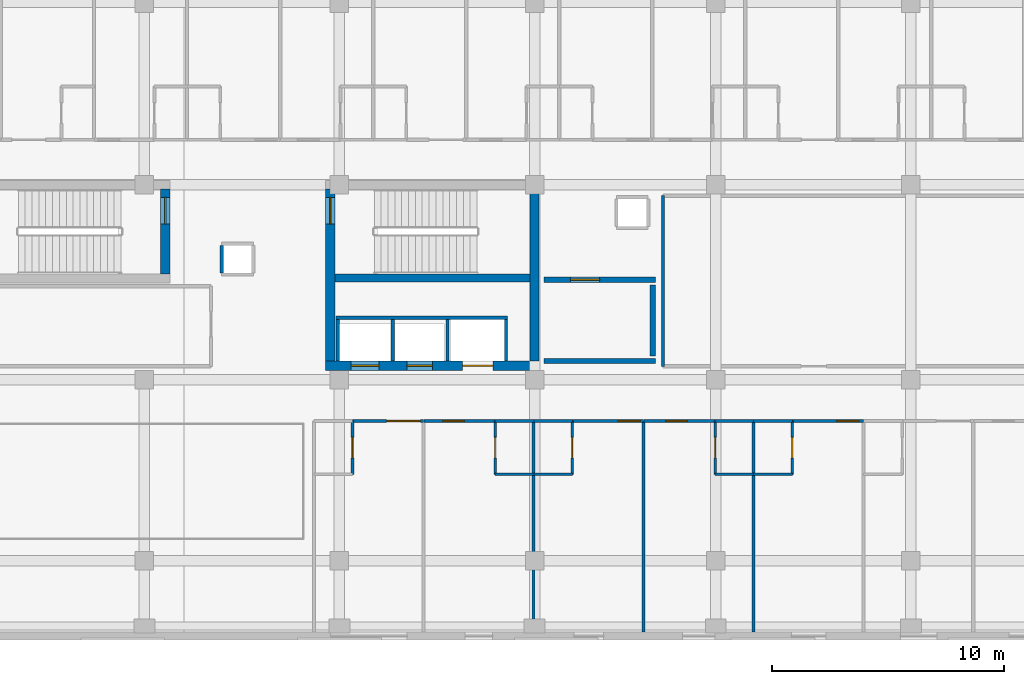
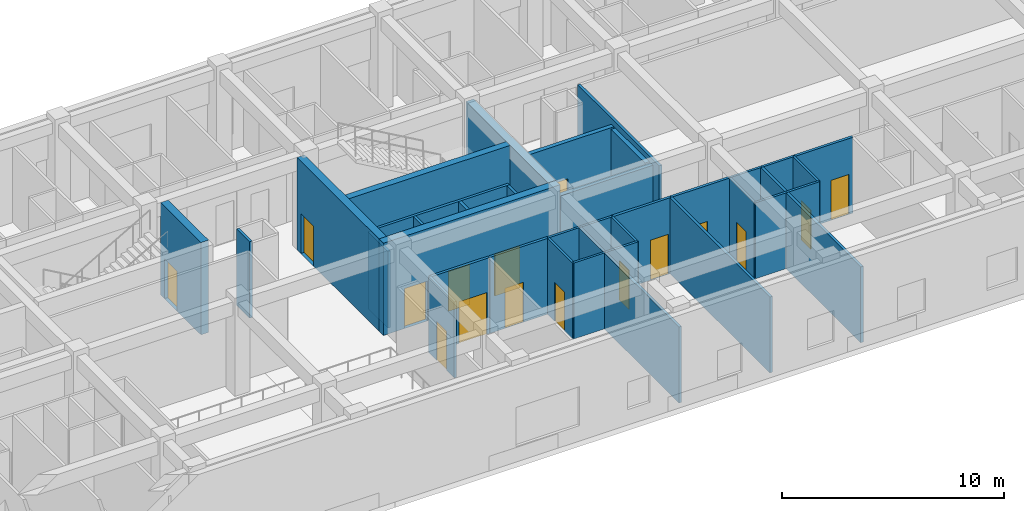
# One storey, part 105 of 139: 36 walls, 16 doors, 16 openings.
"""IFC4 building model written with IfcOpenShell, lengths in metres."""

from ifc_helpers import new_model, si_unit, direction, frame, frame_2d, origin, place, context, subcontext, project, spatial, rectangle, extrude, material, layer, layer_set, type_object, element, fill, save


model = new_model("IFC4")

# Units and contexts
model_context = context("Model", 3, precision=1e-05, world=origin(), true_north=direction((0.0, 1.0)))
body_context = subcontext(model_context, "Body", "Model", "MODEL_VIEW")
ifc_project = project(units=[si_unit("LENGTHUNIT", "METRE"), si_unit("AREAUNIT", "SQUARE_METRE"), si_unit("VOLUMEUNIT", "CUBIC_METRE"), si_unit("PLANEANGLEUNIT", "RADIAN"), si_unit("MASSUNIT", "GRAM", prefix="KILO")], contexts=[model_context])

# Site, building, storey
site_placement = place(None, origin())
site = spatial("IfcSite", under=ifc_project, at=site_placement, CompositionType="ELEMENT")
building_placement = place(site_placement, origin())
building = spatial("IfcBuilding", under=site, at=building_placement, Name="Zayran Congress Hotel", CompositionType="ELEMENT")
storey_placement = place(building_placement, frame((0.0, 0.0, 5.39990234375)))
storey = spatial("IfcBuildingStorey", under=building, at=storey_placement, Name="L01", CompositionType="ELEMENT", Elevation=5.39990234375)

# Wall, openings, doors
ifc_material_1 = material(Name="Concrete C40/50", Category="concrete")
ifc_layer_1 = layer(ifc_material_1, 0.39990234375)
ifc_layer_set_1 = layer_set([ifc_layer_1], Name="Concrete C40/50")
wall_type_1 = type_object("IfcWallType", Name="WL-SH-400", PredefinedType="SHEAR", material=ifc_layer_set_1)
wall_1_placement = place(storey_placement, frame((49.800048828125, 17.800048828125, 0.0), z_axis=(0.0, 0.0, 1.0), x_axis=(1.0, 0.0, 0.0)))
wall_1 = element("IfcWall", 1, at=wall_1_placement, inside=storey, type_object=wall_type_1, Name="CWALL-C-V5E-L01-S", PredefinedType="SHEAR", context=body_context, shape_type="SweptSolid", body=[
    extrude(rectangle(XDim=9.199951171875, YDim=0.39990234375, at=frame_2d((4.60009765625, 0.0))), origin(), (0.0, 0.0, 1.0), 5.080078125),
])
opening_1_placement = place(wall_1_placement, frame((1.10009765625, 0.0, 0.0)))
opening_1 = element("IfcOpeningElement", 2, at=opening_1_placement, cuts=wall_1, Name="Opening LD-FL02", PredefinedType="OPENING", context=body_context, shape_type="SweptSolid", body=[
    extrude(rectangle(XDim=1.199951171875, YDim=2.199951171875, at=frame_2d((0.60009765625, 1.10009765625))), frame((0.0, 0.2099609375, 0.0), z_axis=(0.0, -1.0, 0.0), x_axis=(1.0, 0.0, 0.0)), (0.0, 0.0, 1.0), 0.419921875),
])
opening_2_placement = place(wall_1_placement, frame((3.5, 0.0, 0.0)))
opening_2 = element("IfcOpeningElement", 3, at=opening_2_placement, cuts=wall_1, Name="Opening LD-PL03", PredefinedType="OPENING", context=body_context, shape_type="SweptSolid", body=[
    extrude(rectangle(XDim=1.10009765625, YDim=2.199951171875, at=frame_2d((0.550048828125, 1.10009765625))), frame((0.0, 0.2099609375, 0.0), z_axis=(0.0, -1.0, 0.0), x_axis=(1.0, 0.0, 0.0)), (0.0, 0.0, 1.0), 0.419921875),
])
opening_3_placement = place(wall_1_placement, frame((5.89990234375, 0.0, 0.0)))
opening_3 = element("IfcOpeningElement", 4, at=opening_3_placement, cuts=wall_1, Name="Opening LD-SV01", PredefinedType="OPENING", context=body_context, shape_type="SweptSolid", body=[
    extrude(rectangle(XDim=1.300048828125, YDim=2.300048828125, at=frame_2d((0.64990234375, 1.14990234375))), frame((0.0, 0.2099609375, 0.0), z_axis=(0.0, -1.0, 0.0), x_axis=(1.0, 0.0, 0.0)), (0.0, 0.0, 1.0), 0.419921875),
])
ifc_material_2 = material(Name="Brushed stainless steel sliding lift landing door", Category="steel")
door_type_1 = type_object("IfcDoorType", Name="TP-DR-LD-01", OperationType="DOUBLE_DOOR_SLIDING", PredefinedType="DOOR", material=ifc_material_2)
door_1_placement = place(opening_2_placement, origin())
door_1 = element("IfcDoor", 5, at=door_1_placement, inside=storey, type_object=door_type_1, Name="Lift PL-03 Sliding Landing Door L01", OperationType="DOUBLE_DOOR_SLIDING", OverallHeight=2.199951171875, OverallWidth=1.10009765625, PredefinedType="DOOR", context=body_context, shape_type="SweptSolid", body=[
    extrude(rectangle(XDim=1.10009765625, YDim=2.199951171875, at=frame_2d((0.550048828125, 1.10009765625))), frame((0.0, 0.02490234375, 0.0), z_axis=(0.0, -1.0, 0.0), x_axis=(1.0, 0.0, 0.0)), (0.0, 0.0, 1.0), 0.050048828125),
])
fill(opening_2, door_1)
ifc_material_3 = material(Name="Brushed stainless steel firefighting lift landing door", Category="steel")
door_type_2 = type_object("IfcDoorType", Name="TP-DR-LD-02", OperationType="DOUBLE_DOOR_SLIDING", PredefinedType="DOOR", material=ifc_material_3)
door_2_placement = place(opening_1_placement, origin())
door_2 = element("IfcDoor", 6, at=door_2_placement, inside=storey, type_object=door_type_2, Name="Lift FL-02 Sliding Landing Door L01", OperationType="DOUBLE_DOOR_SLIDING", OverallHeight=2.199951171875, OverallWidth=1.199951171875, PredefinedType="DOOR", context=body_context, shape_type="SweptSolid", body=[
    extrude(rectangle(XDim=1.199951171875, YDim=2.199951171875, at=frame_2d((0.60009765625, 1.10009765625))), frame((0.0, 0.02490234375, 0.0), z_axis=(0.0, -1.0, 0.0), x_axis=(1.0, 0.0, 0.0)), (0.0, 0.0, 1.0), 0.050048828125),
])
fill(opening_1, door_2)
ifc_material_4 = material(Name="Heavy-duty stainless steel service lift landing door", Category="steel")
door_type_3 = type_object("IfcDoorType", Name="TP-DR-LD-03", OperationType="DOUBLE_DOOR_SLIDING", PredefinedType="DOOR", material=ifc_material_4)
door_3_placement = place(opening_3_placement, origin())
door_3 = element("IfcDoor", 7, at=door_3_placement, inside=storey, type_object=door_type_3, Name="Lift SV-01 Sliding Landing Door L01", OperationType="DOUBLE_DOOR_SLIDING", OverallHeight=2.300048828125, OverallWidth=1.300048828125, PredefinedType="DOOR", context=body_context, shape_type="SweptSolid", body=[
    extrude(rectangle(XDim=1.300048828125, YDim=2.300048828125, at=frame_2d((0.64990234375, 1.14990234375))), frame((0.0, 0.02490234375, 0.0), z_axis=(0.0, -1.0, 0.0), x_axis=(1.0, 0.0, 0.0)), (0.0, 0.0, 1.0), 0.050048828125),
])
fill(opening_3, door_3)

# Wall, opening, door
wall_2_placement = place(storey_placement, frame((50.0, 25.39990234375, 0.0), z_axis=(0.0, 0.0, 1.0), x_axis=(0.0, -1.0, 0.0)))
wall_2 = element("IfcWall", 8, at=wall_2_placement, inside=storey, type_object=wall_type_1, Name="CWALL-C-V5E-L01-W", PredefinedType="SHEAR", context=body_context, shape_type="SweptSolid", body=[
    extrude(rectangle(XDim=7.39990234375, YDim=0.39990234375, at=frame_2d((3.699951171875, 0.0))), origin(), (0.0, 0.0, 1.0), 5.080078125),
])
opening_4_placement = place(wall_2_placement, frame((0.35009765625, 0.0, 0.0)))
opening_4 = element("IfcOpeningElement", 9, at=opening_4_placement, cuts=wall_2, Name="Opening DR-FD-90", PredefinedType="OPENING", context=body_context, shape_type="SweptSolid", body=[
    extrude(rectangle(XDim=1.14990234375, YDim=2.199951171875, at=frame_2d((0.574951171875, 1.10009765625))), frame((0.0, 0.2099609375, 0.0), z_axis=(0.0, -1.0, 0.0), x_axis=(1.0, 0.0, 0.0)), (0.0, 0.0, 1.0), 0.419921875),
])
ifc_material_5 = material(Name="Painted steel fire door assembly", Category="steel")
door_type_4 = type_object("IfcDoorType", Name="TP-DR-FD-90", OperationType="NOTDEFINED", PredefinedType="DOOR", material=ifc_material_5)
door_4_placement = place(opening_4_placement, origin())
door_4 = element("IfcDoor", 10, at=door_4_placement, inside=storey, type_object=door_type_4, Name="ST-02 Exit Stair Door L01", OperationType="SINGLE_SWING_LEFT", OverallHeight=2.199951171875, OverallWidth=1.14990234375, PredefinedType="DOOR", context=body_context, shape_type="SweptSolid", body=[
    extrude(rectangle(XDim=1.14990234375, YDim=2.199951171875, at=frame_2d((0.574951171875, 1.10009765625))), frame((0.0, 0.02490234375, 0.0), z_axis=(0.0, -1.0, 0.0), x_axis=(1.0, 0.0, 0.0)), (0.0, 0.0, 1.0), 0.050048828125),
])
fill(opening_4, door_4)

# Wall
wall_3_placement = place(storey_placement, frame((58.800048828125, 18.0, 0.0), z_axis=(0.0, 0.0, 1.0), x_axis=(0.0, 1.0, 0.0)))
element("IfcWall", 11, at=wall_3_placement, inside=storey, type_object=wall_type_1, Name="CWALL-C-V5E-L01-E", PredefinedType="SHEAR", context=body_context, shape_type="SweptSolid", body=[
    extrude(rectangle(XDim=7.39990234375, YDim=0.39990234375, at=frame_2d((3.699951171875, 0.0))), origin(), (0.0, 0.0, 1.0), 5.080078125),
])

# Wall, opening, door
wall_4_placement = place(storey_placement, frame((42.89990234375, 21.760009765625, 0.0), z_axis=(0.0, 0.0, 1.0), x_axis=(0.0, 1.0, 0.0)))
wall_4 = element("IfcWall", 12, at=wall_4_placement, inside=storey, type_object=wall_type_1, Name="CWALL-C-V5M-L01-E", PredefinedType="SHEAR", context=body_context, shape_type="SweptSolid", body=[
    extrude(rectangle(XDim=3.639892578125, YDim=0.39990234375, at=frame_2d((1.81982421875, 0.0))), origin(), (0.0, 0.0, 1.0), 5.080078125),
])
opening_5_placement = place(wall_4_placement, frame((2.139892578125, 0.0, 0.0)))
opening_5 = element("IfcOpeningElement", 13, at=opening_5_placement, cuts=wall_4, Name="Opening DR-FD-90", PredefinedType="OPENING", context=body_context, shape_type="SweptSolid", body=[
    extrude(rectangle(XDim=1.14990234375, YDim=2.199951171875, at=frame_2d((0.574951171875, 1.10009765625))), frame((0.0, 0.2099609375, 0.0), z_axis=(0.0, -1.0, 0.0), x_axis=(1.0, 0.0, 0.0)), (0.0, 0.0, 1.0), 0.419921875),
])
door_5_placement = place(opening_5_placement, origin())
door_5 = element("IfcDoor", 14, at=door_5_placement, inside=storey, type_object=door_type_4, Name="ST-13 Exit Stair Door L01", OperationType="SINGLE_SWING_LEFT", OverallHeight=2.199951171875, OverallWidth=1.14990234375, PredefinedType="DOOR", context=body_context, shape_type="SweptSolid", body=[
    extrude(rectangle(XDim=1.14990234375, YDim=2.199951171875, at=frame_2d((0.574951171875, 1.10009765625))), frame((0.0, 0.02490234375, 0.0), z_axis=(0.0, -1.0, 0.0), x_axis=(1.0, 0.0, 0.0)), (0.0, 0.0, 1.0), 0.050048828125),
])
fill(opening_5, door_5)

# Walls
ifc_layer_2 = layer(ifc_material_1, 0.35009765625)
ifc_layer_set_2 = layer_set([ifc_layer_2], Name="Concrete C40/50")
wall_type_2 = type_object("IfcWallType", Name="WL-SH-350", PredefinedType="SHEAR", material=ifc_layer_set_2)
wall_5_placement = place(storey_placement, frame((50.199951171875, 21.5849609375, 0.0), z_axis=(0.0, 0.0, 1.0), x_axis=(1.0, 0.0, 0.0)))
element("IfcWall", 15, at=wall_5_placement, inside=storey, type_object=wall_type_2, Name="CWALL-C-V5E-L01-SPN", PredefinedType="SHEAR", context=body_context, shape_type="SweptSolid", body=[
    extrude(rectangle(XDim=8.400146484375, YDim=0.35009765625, at=frame_2d((4.2001953125, 0.0))), origin(), (0.0, 0.0, 1.0), 5.080078125),
])
ifc_material_6 = material(Name="Concrete C32/40 fire wall", Category="concrete")
ifc_layer_3 = layer(ifc_material_6, 0.219970703125)
ifc_layer_set_3 = layer_set([ifc_layer_3], Name="Concrete C32/40 fire wall")
wall_type_3 = type_object("IfcWallType", Name="WL-FF-220", PredefinedType="SOLIDWALL", material=ifc_layer_set_3)
wall_6_placement = place(storey_placement, frame((59.199951171875, 18.0, 0.0), z_axis=(0.0, 0.0, 1.0), x_axis=(1.0, 0.0, 0.0)))
element("IfcWall", 16, at=wall_6_placement, inside=storey, type_object=wall_type_3, Name="FFWL-C-V5E-L01-S", PredefinedType="SOLIDWALL", context=body_context, shape_type="SweptSolid", body=[
    extrude(rectangle(XDim=4.800048828125, YDim=0.219970703125, at=frame_2d((2.39990234375, 0.0))), origin(), (0.0, 0.0, 1.0), 4.22998046875),
])

# Wall, opening, door
wall_7_placement = place(storey_placement, frame((59.199951171875, 21.5, 0.0), z_axis=(0.0, 0.0, 1.0), x_axis=(1.0, 0.0, 0.0)))
wall_7 = element("IfcWall", 17, at=wall_7_placement, inside=storey, type_object=wall_type_3, Name="FFWL-C-V5E-L01-N", PredefinedType="SOLIDWALL", context=body_context, shape_type="SweptSolid", body=[
    extrude(rectangle(XDim=4.800048828125, YDim=0.219970703125, at=frame_2d((2.39990234375, 0.0))), origin(), (0.0, 0.0, 1.0), 4.22998046875),
])
opening_6_placement = place(wall_7_placement, frame((1.14990234375, 0.0, 0.0)))
opening_6 = element("IfcOpeningElement", 18, at=opening_6_placement, cuts=wall_7, Name="Opening DR-FF-60", PredefinedType="OPENING", context=body_context, shape_type="SweptSolid", body=[
    extrude(rectangle(XDim=1.25, YDim=2.199951171875, at=frame_2d((0.625, 1.10009765625))), frame((0.0, 0.119873046875, 0.0), z_axis=(0.0, -1.0, 0.0), x_axis=(1.0, 0.0, 0.0)), (0.0, 0.0, 1.0), 0.239990234375),
])
ifc_material_7 = material(Name="Painted steel smoke-seal fire door", Category="steel")
door_type_5 = type_object("IfcDoorType", Name="TP-DR-FF-60", OperationType="NOTDEFINED", PredefinedType="DOOR", material=ifc_material_7)
door_6_placement = place(opening_6_placement, origin())
door_6 = element("IfcDoor", 19, at=door_6_placement, inside=storey, type_object=door_type_5, Name="Firefighting Lift Lobby Door C-V5E L01", OperationType="SINGLE_SWING_RIGHT", OverallHeight=2.199951171875, OverallWidth=1.25, PredefinedType="DOOR", context=body_context, shape_type="SweptSolid", body=[
    extrude(rectangle(XDim=1.25, YDim=2.199951171875, at=frame_2d((0.625, 1.10009765625))), frame((0.0, 0.02490234375, 0.0), z_axis=(0.0, -1.0, 0.0), x_axis=(1.0, 0.0, 0.0)), (0.0, 0.0, 1.0), 0.050048828125),
])
fill(opening_6, door_6)

# Walls
wall_8_placement = place(storey_placement, frame((63.889892578125, 18.219970703125, 0.0), z_axis=(0.0, 0.0, 1.0), x_axis=(0.0, 1.0, 0.0)))
element("IfcWall", 20, at=wall_8_placement, inside=storey, type_object=wall_type_3, Name="FFWL-C-V5E-L01-SD", PredefinedType="SOLIDWALL", context=body_context, shape_type="SweptSolid", body=[
    extrude(rectangle(XDim=3.06005859375, YDim=0.219970703125, at=frame_2d((1.530029296875, 0.0))), origin(), (0.0, 0.0, 1.0), 4.22998046875),
])
ifc_material_8 = material(Name="Hospitality guestroom acoustic partition", Category="gypsum")
ifc_layer_4 = layer(ifc_material_8, 0.139892578125)
ifc_layer_set_4 = layer_set([ifc_layer_4], Name="Hospitality guestroom acoustic partition")
wall_type_4 = type_object("IfcWallType", Name="WL-PT-140", PredefinedType="PARTITIONING", material=ifc_layer_set_4)
for number, where, z_axis, x_axis, name in (
    (21, (50.330078125, 18.0, 0.0), (0.0, 0.0, 1.0), (0.0, 1.0, 0.0), "LSHW-C-V5E-L01-W"),
    (22, (52.699951171875, 18.0, 0.0), (0.0, 0.0, 1.0), (0.0, 1.0, 0.0), "LSHW-C-V5E-L01-DIV1"),
    (23, (55.050048828125, 18.0, 0.0), (0.0, 0.0, 1.0), (0.0, 1.0, 0.0), "LSHW-C-V5E-L01-DIV2"),
    (24, (57.570068359375, 18.0, 0.0), (0.0, 0.0, 1.0), (0.0, 1.0, 0.0), "LSHW-C-V5E-L01-E"),
):
    element("IfcWall", number, at=place(storey_placement, frame(where, z_axis=z_axis, x_axis=x_axis)), inside=storey, type_object=wall_type_4, Name=name, PredefinedType="PARTITIONING", context=body_context, shape_type="SweptSolid", body=[
        extrude(rectangle(XDim=1.800048828125, YDim=0.139892578125, at=frame_2d((0.89990234375, 0.0))), origin(), (0.0, 0.0, 1.0), 4.22998046875),
    ])
wall_9_placement = place(storey_placement, frame((50.260009765625, 19.8701171875, 0.0), z_axis=(0.0, 0.0, 1.0), x_axis=(1.0, 0.0, 0.0)))
element("IfcWall", 25, at=wall_9_placement, inside=storey, type_object=wall_type_4, Name="LSHW-C-V5E-L01-N", PredefinedType="PARTITIONING", context=body_context, shape_type="SweptSolid", body=[
    extrude(rectangle(XDim=7.3798828125, YDim=0.139892578125, at=frame_2d((3.68994140625, 0.0))), origin(), (0.0, 0.0, 1.0), 4.22998046875),
])

# Wall, opening, door
wall_10_placement = place(storey_placement, frame((50.958984375, 15.419921875, 0.0), z_axis=(0.0, 0.0, 1.0), x_axis=(1.0, 0.0, 0.0)))
wall_10 = element("IfcWall", 26, at=wall_10_placement, inside=storey, type_object=wall_type_4, Name="IW-L01-0457", PredefinedType="PARTITIONING", context=body_context, shape_type="SweptSolid", body=[
    extrude(rectangle(XDim=3.06396484375, YDim=0.139892578125, at=frame_2d((1.531982421875, 0.0))), origin(), (0.0, 0.0, 1.0), 4.18017578125),
])
opening_7_placement = place(wall_10_placement, frame((1.47412109375, 0.0, 0.0)))
opening_7 = element("IfcOpeningElement", 27, at=opening_7_placement, cuts=wall_10, Name="Opening DR-ST-01", PredefinedType="OPENING", context=body_context, shape_type="SweptSolid", body=[
    extrude(rectangle(XDim=1.449951171875, YDim=2.300048828125, at=frame_2d((0.72509765625, 1.14990234375))), frame((0.0, 0.079833984375, 0.0), z_axis=(0.0, -1.0, 0.0), x_axis=(1.0, 0.0, 0.0)), (0.0, 0.0, 1.0), 0.159912109375),
])
ifc_material_9 = material(Name="Double walnut veneer suite entry door", Category="wood")
door_type_6 = type_object("IfcDoorType", Name="TP-DR-ST-01", OperationType="DOUBLE_DOOR_SINGLE_SWING", PredefinedType="DOOR", material=ifc_material_9)
door_7_placement = place(opening_7_placement, origin())
door_7 = element("IfcDoor", 28, at=door_7_placement, inside=storey, type_object=door_type_6, Name="Junior Suite L01-10 Door", OperationType="DOUBLE_DOOR_SINGLE_SWING", OverallHeight=2.300048828125, OverallWidth=1.449951171875, PredefinedType="DOOR", context=body_context, shape_type="SweptSolid", body=[
    extrude(rectangle(XDim=1.449951171875, YDim=2.300048828125, at=frame_2d((0.72509765625, 1.14990234375))), frame((0.0, 0.02490234375, 0.0), z_axis=(0.0, -1.0, 0.0), x_axis=(1.0, 0.0, 0.0)), (0.0, 0.0, 1.0), 0.050048828125),
])
fill(opening_7, door_7)

wall_11_placement = place(storey_placement, frame((54.04296875, 15.419921875, 0.0), z_axis=(0.0, 0.0, 1.0), x_axis=(1.0, 0.0, 0.0)))
wall_11 = element("IfcWall", 29, at=wall_11_placement, inside=storey, type_object=wall_type_4, Name="IW-L01-0458", PredefinedType="PARTITIONING", context=body_context, shape_type="SweptSolid", body=[
    extrude(rectangle(XDim=3.06494140625, YDim=0.139892578125, at=frame_2d((1.532470703125, 0.0))), origin(), (0.0, 0.0, 1.0), 4.18017578125),
])
opening_8_placement = place(wall_11_placement, frame((0.799072265625, 0.0, 0.0)))
opening_8 = element("IfcOpeningElement", 30, at=opening_8_placement, cuts=wall_11, Name="Opening DR-GR-01", PredefinedType="OPENING", context=body_context, shape_type="SweptSolid", body=[
    extrude(rectangle(XDim=0.93994140625, YDim=2.199951171875, at=frame_2d((0.469970703125, 1.10009765625))), frame((0.0, 0.079833984375, 0.0), z_axis=(0.0, -1.0, 0.0), x_axis=(1.0, 0.0, 0.0)), (0.0, 0.0, 1.0), 0.159912109375),
])
ifc_material_10 = material(Name="Acoustic walnut veneer fire-rated entry door", Category="wood")
door_type_7 = type_object("IfcDoorType", Name="TP-DR-GR-01", OperationType="NOTDEFINED", PredefinedType="DOOR", material=ifc_material_10)
door_8_placement = place(opening_8_placement, origin())
door_8 = element("IfcDoor", 31, at=door_8_placement, inside=storey, type_object=door_type_7, Name="Guest Room L01-11 Door", OperationType="SINGLE_SWING_LEFT", OverallHeight=2.199951171875, OverallWidth=0.93994140625, PredefinedType="DOOR", context=body_context, shape_type="SweptSolid", body=[
    extrude(rectangle(XDim=0.93994140625, YDim=2.199951171875, at=frame_2d((0.469970703125, 1.10009765625))), frame((0.0, 0.02490234375, 0.0), z_axis=(0.0, -1.0, 0.0), x_axis=(1.0, 0.0, 0.0)), (0.0, 0.0, 1.0), 0.050048828125),
])
fill(opening_8, door_8)

wall_12_placement = place(storey_placement, frame((60.426025390625, 15.419921875, 0.0), z_axis=(0.0, 0.0, 1.0), x_axis=(1.0, 0.0, 0.0)))
wall_12 = element("IfcWall", 32, at=wall_12_placement, inside=storey, type_object=wall_type_4, Name="IW-L01-0459", PredefinedType="PARTITIONING", context=body_context, shape_type="SweptSolid", body=[
    extrude(rectangle(XDim=3.06396484375, YDim=0.139892578125, at=frame_2d((1.531982421875, 0.0))), origin(), (0.0, 0.0, 1.0), 4.18017578125),
])
opening_9_placement = place(wall_12_placement, frame((1.98388671875, 0.0, 0.0)))
opening_9 = element("IfcOpeningElement", 33, at=opening_9_placement, cuts=wall_12, Name="Opening DR-GR-01", PredefinedType="OPENING", context=body_context, shape_type="SweptSolid", body=[
    extrude(rectangle(XDim=0.93994140625, YDim=2.199951171875, at=frame_2d((0.469970703125, 1.10009765625))), frame((0.0, 0.079833984375, 0.0), z_axis=(0.0, -1.0, 0.0), x_axis=(1.0, 0.0, 0.0)), (0.0, 0.0, 1.0), 0.159912109375),
])
door_9_placement = place(opening_9_placement, origin())
door_9 = element("IfcDoor", 34, at=door_9_placement, inside=storey, type_object=door_type_7, Name="Guest Room L01-12 Door", OperationType="SINGLE_SWING_RIGHT", OverallHeight=2.199951171875, OverallWidth=0.93994140625, PredefinedType="DOOR", context=body_context, shape_type="SweptSolid", body=[
    extrude(rectangle(XDim=0.93994140625, YDim=2.199951171875, at=frame_2d((0.469970703125, 1.10009765625))), frame((0.0, 0.02490234375, 0.0), z_axis=(0.0, -1.0, 0.0), x_axis=(1.0, 0.0, 0.0)), (0.0, 0.0, 1.0), 0.050048828125),
])
fill(opening_9, door_9)

wall_13_placement = place(storey_placement, frame((63.510009765625, 15.419921875, 0.0), z_axis=(0.0, 0.0, 1.0), x_axis=(1.0, 0.0, 0.0)))
wall_13 = element("IfcWall", 35, at=wall_13_placement, inside=storey, type_object=wall_type_4, Name="IW-L01-0460", PredefinedType="PARTITIONING", context=body_context, shape_type="SweptSolid", body=[
    extrude(rectangle(XDim=3.06396484375, YDim=0.139892578125, at=frame_2d((1.531982421875, 0.0))), origin(), (0.0, 0.0, 1.0), 4.18017578125),
])
opening_10_placement = place(wall_13_placement, frame((0.929931640625, 0.0, 0.0)))
opening_10 = element("IfcOpeningElement", 36, at=opening_10_placement, cuts=wall_13, Name="Opening DR-GR-01", PredefinedType="OPENING", context=body_context, shape_type="SweptSolid", body=[
    extrude(rectangle(XDim=0.93994140625, YDim=2.199951171875, at=frame_2d((0.469970703125, 1.10009765625))), frame((0.0, 0.079833984375, 0.0), z_axis=(0.0, -1.0, 0.0), x_axis=(1.0, 0.0, 0.0)), (0.0, 0.0, 1.0), 0.159912109375),
])
door_10_placement = place(opening_10_placement, origin())
door_10 = element("IfcDoor", 37, at=door_10_placement, inside=storey, type_object=door_type_7, Name="Guest Room L01-13 Door", OperationType="SINGLE_SWING_LEFT", OverallHeight=2.199951171875, OverallWidth=0.93994140625, PredefinedType="DOOR", context=body_context, shape_type="SweptSolid", body=[
    extrude(rectangle(XDim=0.93994140625, YDim=2.199951171875, at=frame_2d((0.469970703125, 1.10009765625))), frame((0.0, 0.02490234375, 0.0), z_axis=(0.0, -1.0, 0.0), x_axis=(1.0, 0.0, 0.0)), (0.0, 0.0, 1.0), 0.050048828125),
])
fill(opening_10, door_10)

wall_14_placement = place(storey_placement, frame((69.89208984375, 15.419921875, 0.0), z_axis=(0.0, 0.0, 1.0), x_axis=(1.0, 0.0, 0.0)))
wall_14 = element("IfcWall", 38, at=wall_14_placement, inside=storey, type_object=wall_type_4, Name="IW-L01-0461", PredefinedType="PARTITIONING", context=body_context, shape_type="SweptSolid", body=[
    extrude(rectangle(XDim=3.06494140625, YDim=0.139892578125, at=frame_2d((1.532470703125, 0.0))), origin(), (0.0, 0.0, 1.0), 4.18017578125),
])
opening_11_placement = place(wall_14_placement, frame((1.9189453125, 0.0, 0.0)))
opening_11 = element("IfcOpeningElement", 39, at=opening_11_placement, cuts=wall_14, Name="Opening DR-GR-01", PredefinedType="OPENING", context=body_context, shape_type="SweptSolid", body=[
    extrude(rectangle(XDim=0.93994140625, YDim=2.199951171875, at=frame_2d((0.469970703125, 1.10009765625))), frame((0.0, 0.079833984375, 0.0), z_axis=(0.0, -1.0, 0.0), x_axis=(1.0, 0.0, 0.0)), (0.0, 0.0, 1.0), 0.159912109375),
])
door_11_placement = place(opening_11_placement, origin())
door_11 = element("IfcDoor", 40, at=door_11_placement, inside=storey, type_object=door_type_7, Name="Guest Room L01-14 Door", OperationType="SINGLE_SWING_RIGHT", OverallHeight=2.199951171875, OverallWidth=0.93994140625, PredefinedType="DOOR", context=body_context, shape_type="SweptSolid", body=[
    extrude(rectangle(XDim=0.93994140625, YDim=2.199951171875, at=frame_2d((0.469970703125, 1.10009765625))), frame((0.0, 0.02490234375, 0.0), z_axis=(0.0, -1.0, 0.0), x_axis=(1.0, 0.0, 0.0)), (0.0, 0.0, 1.0), 0.050048828125),
])
fill(opening_11, door_11)

# Walls
wall_15_placement = place(storey_placement, frame((64.330078125, 17.77001953125, 0.0), z_axis=(0.0, 0.0, 1.0), x_axis=(0.0, 1.0, 0.0)))
element("IfcWall", 41, at=wall_15_placement, inside=storey, type_object=wall_type_4, Name="IW-L01-1740", PredefinedType="PARTITIONING", context=body_context, shape_type="SweptSolid", body=[
    extrude(rectangle(XDim=7.35986328125, YDim=0.139892578125, at=frame_2d((3.679931640625, 0.0))), origin(), (0.0, 0.0, 1.0), 4.18017578125),
])
for number, where, z_axis, x_axis, name in (
    (42, (58.757080078125, 6.340087890625, 0.0), (0.0, 0.0, 1.0), (0.0, 1.0, 0.0), "IW-L01-1752"),
    (43, (63.489990234375, 6.340087890625, 0.0), (0.0, 0.0, 1.0), (0.0, 1.0, 0.0), "IW-L01-1753"),
    (44, (68.222900390625, 6.340087890625, 0.0), (0.0, 0.0, 1.0), (0.0, 1.0, 0.0), "IW-L01-1754"),
):
    element("IfcWall", number, at=place(storey_placement, frame(where, z_axis=z_axis, x_axis=x_axis)), inside=storey, type_object=wall_type_4, Name=name, PredefinedType="PARTITIONING", context=body_context, shape_type="SweptSolid", body=[
        extrude(rectangle(XDim=9.08984375, YDim=0.139892578125, at=frame_2d((4.544921875, 0.0))), origin(), (0.0, 0.0, 1.0), 4.18017578125),
    ])
wall_16_placement = place(storey_placement, frame((45.330078125, 22.97998046875, 0.0), z_axis=(0.0, 0.0, 1.0), x_axis=(0.0, -1.0, 0.0)))
element("IfcWall", 45, at=wall_16_placement, inside=storey, type_object=wall_type_4, Name="RSWL-V5-L01-027-W", PredefinedType="PARTITIONING", context=body_context, shape_type="SweptSolid", body=[
    extrude(rectangle(XDim=1.179931640625, YDim=0.139892578125, at=frame_2d((0.58984375, 0.0))), origin(), (0.0, 0.0, 1.0), 4.2001953125),
])

# Wall, opening, door
ifc_material_11 = material(Name="Moisture-resistant bathroom partition", Category="gypsum")
ifc_layer_5 = layer(ifc_material_11, 0.1201171875)
ifc_layer_set_5 = layer_set([ifc_layer_5], Name="Moisture-resistant bathroom partition")
wall_type_5 = type_object("IfcWallType", Name="WL-PT-120", PredefinedType="PARTITIONING", material=ifc_layer_set_5)
wall_17_placement = place(storey_placement, frame((50.958984375, 13.1201171875, 0.0), z_axis=(0.0, 0.0, 1.0), x_axis=(0.0, 1.0, 0.0)))
wall_17 = element("IfcWall", 46, at=wall_17_placement, inside=storey, type_object=wall_type_5, Name="IW-L01-0026", PredefinedType="PARTITIONING", context=body_context, shape_type="SweptSolid", body=[
    extrude(rectangle(XDim=2.309814453125, YDim=0.1201171875, at=frame_2d((1.15478515625, 0.0))), origin(), (0.0, 0.0, 1.0), 4.18017578125),
])
opening_12_placement = place(wall_17_placement, frame((0.715087890625, 0.0, 0.0)))
opening_12 = element("IfcOpeningElement", 47, at=opening_12_placement, cuts=wall_17, Name="Opening DR-BT-01", PredefinedType="OPENING", context=body_context, shape_type="SweptSolid", body=[
    extrude(rectangle(XDim=0.8798828125, YDim=2.14990234375, at=frame_2d((0.43994140625, 1.074951171875))), frame((0.0, 0.070068359375, 0.0), z_axis=(0.0, -1.0, 0.0), x_axis=(1.0, 0.0, 0.0)), (0.0, 0.0, 1.0), 0.14013671875),
])
ifc_material_12 = material(Name="Moisture-resistant oak en-suite door", Category="wood")
door_type_8 = type_object("IfcDoorType", Name="TP-DR-BT-01", OperationType="NOTDEFINED", PredefinedType="DOOR", material=ifc_material_12)
door_12_placement = place(opening_12_placement, origin())
door_12 = element("IfcDoor", 48, at=door_12_placement, inside=storey, type_object=door_type_8, Name="En-Suite Bathroom L01-10 Door", OperationType="SINGLE_SWING_LEFT", OverallHeight=2.14990234375, OverallWidth=0.8798828125, PredefinedType="DOOR", context=body_context, shape_type="SweptSolid", body=[
    extrude(rectangle(XDim=0.8798828125, YDim=2.14990234375, at=frame_2d((0.43994140625, 1.074951171875))), frame((0.0, 0.02490234375, 0.0), z_axis=(0.0, -1.0, 0.0), x_axis=(1.0, 0.0, 0.0)), (0.0, 0.0, 1.0), 0.050048828125),
])
fill(opening_12, door_12)

wall_18_placement = place(storey_placement, frame((57.10791015625, 13.1201171875, 0.0), z_axis=(0.0, 0.0, 1.0), x_axis=(0.0, 1.0, 0.0)))
wall_18 = element("IfcWall", 49, at=wall_18_placement, inside=storey, type_object=wall_type_5, Name="IW-L01-0027", PredefinedType="PARTITIONING", context=body_context, shape_type="SweptSolid", body=[
    extrude(rectangle(XDim=2.309814453125, YDim=0.1201171875, at=frame_2d((1.15478515625, 0.0))), origin(), (0.0, 0.0, 1.0), 4.18017578125),
])
opening_13_placement = place(wall_18_placement, frame((0.715087890625, 0.0, 0.0)))
opening_13 = element("IfcOpeningElement", 50, at=opening_13_placement, cuts=wall_18, Name="Opening DR-BT-01", PredefinedType="OPENING", context=body_context, shape_type="SweptSolid", body=[
    extrude(rectangle(XDim=0.8798828125, YDim=2.14990234375, at=frame_2d((0.43994140625, 1.074951171875))), frame((0.0, 0.070068359375, 0.0), z_axis=(0.0, -1.0, 0.0), x_axis=(1.0, 0.0, 0.0)), (0.0, 0.0, 1.0), 0.14013671875),
])
door_13_placement = place(opening_13_placement, origin())
door_13 = element("IfcDoor", 51, at=door_13_placement, inside=storey, type_object=door_type_8, Name="En-Suite Bathroom L01-11 Door", OperationType="SINGLE_SWING_RIGHT", OverallHeight=2.14990234375, OverallWidth=0.8798828125, PredefinedType="DOOR", context=body_context, shape_type="SweptSolid", body=[
    extrude(rectangle(XDim=0.8798828125, YDim=2.14990234375, at=frame_2d((0.43994140625, 1.074951171875))), frame((0.0, 0.02490234375, 0.0), z_axis=(0.0, -1.0, 0.0), x_axis=(1.0, 0.0, 0.0)), (0.0, 0.0, 1.0), 0.050048828125),
])
fill(opening_13, door_13)

wall_19_placement = place(storey_placement, frame((60.426025390625, 13.1201171875, 0.0), z_axis=(0.0, 0.0, 1.0), x_axis=(0.0, 1.0, 0.0)))
wall_19 = element("IfcWall", 52, at=wall_19_placement, inside=storey, type_object=wall_type_5, Name="IW-L01-0028", PredefinedType="PARTITIONING", context=body_context, shape_type="SweptSolid", body=[
    extrude(rectangle(XDim=2.309814453125, YDim=0.1201171875, at=frame_2d((1.15478515625, 0.0))), origin(), (0.0, 0.0, 1.0), 4.18017578125),
])
opening_14_placement = place(wall_19_placement, frame((0.715087890625, 0.0, 0.0)))
opening_14 = element("IfcOpeningElement", 53, at=opening_14_placement, cuts=wall_19, Name="Opening DR-BT-01", PredefinedType="OPENING", context=body_context, shape_type="SweptSolid", body=[
    extrude(rectangle(XDim=0.8798828125, YDim=2.14990234375, at=frame_2d((0.43994140625, 1.074951171875))), frame((0.0, 0.070068359375, 0.0), z_axis=(0.0, -1.0, 0.0), x_axis=(1.0, 0.0, 0.0)), (0.0, 0.0, 1.0), 0.14013671875),
])
door_14_placement = place(opening_14_placement, origin())
door_14 = element("IfcDoor", 54, at=door_14_placement, inside=storey, type_object=door_type_8, Name="En-Suite Bathroom L01-12 Door", OperationType="SINGLE_SWING_LEFT", OverallHeight=2.14990234375, OverallWidth=0.8798828125, PredefinedType="DOOR", context=body_context, shape_type="SweptSolid", body=[
    extrude(rectangle(XDim=0.8798828125, YDim=2.14990234375, at=frame_2d((0.43994140625, 1.074951171875))), frame((0.0, 0.02490234375, 0.0), z_axis=(0.0, -1.0, 0.0), x_axis=(1.0, 0.0, 0.0)), (0.0, 0.0, 1.0), 0.050048828125),
])
fill(opening_14, door_14)

wall_20_placement = place(storey_placement, frame((66.573974609375, 13.1201171875, 0.0), z_axis=(0.0, 0.0, 1.0), x_axis=(0.0, 1.0, 0.0)))
wall_20 = element("IfcWall", 55, at=wall_20_placement, inside=storey, type_object=wall_type_5, Name="IW-L01-0029", PredefinedType="PARTITIONING", context=body_context, shape_type="SweptSolid", body=[
    extrude(rectangle(XDim=2.309814453125, YDim=0.1201171875, at=frame_2d((1.15478515625, 0.0))), origin(), (0.0, 0.0, 1.0), 4.18017578125),
])
opening_15_placement = place(wall_20_placement, frame((0.715087890625, 0.0, 0.0)))
opening_15 = element("IfcOpeningElement", 56, at=opening_15_placement, cuts=wall_20, Name="Opening DR-BT-01", PredefinedType="OPENING", context=body_context, shape_type="SweptSolid", body=[
    extrude(rectangle(XDim=0.8798828125, YDim=2.14990234375, at=frame_2d((0.43994140625, 1.074951171875))), frame((0.0, 0.070068359375, 0.0), z_axis=(0.0, -1.0, 0.0), x_axis=(1.0, 0.0, 0.0)), (0.0, 0.0, 1.0), 0.14013671875),
])
door_15_placement = place(opening_15_placement, origin())
door_15 = element("IfcDoor", 57, at=door_15_placement, inside=storey, type_object=door_type_8, Name="En-Suite Bathroom L01-13 Door", OperationType="SINGLE_SWING_RIGHT", OverallHeight=2.14990234375, OverallWidth=0.8798828125, PredefinedType="DOOR", context=body_context, shape_type="SweptSolid", body=[
    extrude(rectangle(XDim=0.8798828125, YDim=2.14990234375, at=frame_2d((0.43994140625, 1.074951171875))), frame((0.0, 0.02490234375, 0.0), z_axis=(0.0, -1.0, 0.0), x_axis=(1.0, 0.0, 0.0)), (0.0, 0.0, 1.0), 0.050048828125),
])
fill(opening_15, door_15)

wall_21_placement = place(storey_placement, frame((69.89208984375, 13.1201171875, 0.0), z_axis=(0.0, 0.0, 1.0), x_axis=(0.0, 1.0, 0.0)))
wall_21 = element("IfcWall", 58, at=wall_21_placement, inside=storey, type_object=wall_type_5, Name="IW-L01-0030", PredefinedType="PARTITIONING", context=body_context, shape_type="SweptSolid", body=[
    extrude(rectangle(XDim=2.309814453125, YDim=0.1201171875, at=frame_2d((1.15478515625, 0.0))), origin(), (0.0, 0.0, 1.0), 4.18017578125),
])
opening_16_placement = place(wall_21_placement, frame((0.715087890625, 0.0, 0.0)))
opening_16 = element("IfcOpeningElement", 59, at=opening_16_placement, cuts=wall_21, Name="Opening DR-BT-01", PredefinedType="OPENING", context=body_context, shape_type="SweptSolid", body=[
    extrude(rectangle(XDim=0.8798828125, YDim=2.14990234375, at=frame_2d((0.43994140625, 1.074951171875))), frame((0.0, 0.070068359375, 0.0), z_axis=(0.0, -1.0, 0.0), x_axis=(1.0, 0.0, 0.0)), (0.0, 0.0, 1.0), 0.14013671875),
])
door_16_placement = place(opening_16_placement, origin())
door_16 = element("IfcDoor", 60, at=door_16_placement, inside=storey, type_object=door_type_8, Name="En-Suite Bathroom L01-14 Door", OperationType="SINGLE_SWING_LEFT", OverallHeight=2.14990234375, OverallWidth=0.8798828125, PredefinedType="DOOR", context=body_context, shape_type="SweptSolid", body=[
    extrude(rectangle(XDim=0.8798828125, YDim=2.14990234375, at=frame_2d((0.43994140625, 1.074951171875))), frame((0.0, 0.02490234375, 0.0), z_axis=(0.0, -1.0, 0.0), x_axis=(1.0, 0.0, 0.0)), (0.0, 0.0, 1.0), 0.050048828125),
])
fill(opening_16, door_16)

# Walls
for number, where, z_axis, x_axis, name in (
    (61, (57.097900390625, 13.1298828125, 0.0), (0.0, 0.0, 1.0), (1.0, 0.0, 0.0), "IW-L01-0921"),
    (62, (57.097900390625, 15.419921875, 0.0), (0.0, 0.0, 1.0), (1.0, 0.0, 0.0), "IW-L01-0922"),
):
    element("IfcWall", number, at=place(storey_placement, frame(where, z_axis=z_axis, x_axis=x_axis)), inside=storey, type_object=wall_type_5, Name=name, PredefinedType="PARTITIONING", context=body_context, shape_type="SweptSolid", body=[
        extrude(rectangle(XDim=1.669189453125, YDim=0.1201171875, at=frame_2d((0.83447265625, 0.0))), origin(), (0.0, 0.0, 1.0), 4.18017578125),
    ])
for number, where, z_axis, x_axis, name in (
    (63, (58.76708984375, 13.1298828125, 0.0), (0.0, 0.0, 1.0), (1.0, 0.0, 0.0), "IW-L01-0923"),
    (64, (58.76708984375, 15.419921875, 0.0), (0.0, 0.0, 1.0), (1.0, 0.0, 0.0), "IW-L01-0924"),
    (65, (66.56396484375, 13.1298828125, 0.0), (0.0, 0.0, 1.0), (1.0, 0.0, 0.0), "IW-L01-0925"),
    (66, (66.56396484375, 15.419921875, 0.0), (0.0, 0.0, 1.0), (1.0, 0.0, 0.0), "IW-L01-0926"),
):
    element("IfcWall", number, at=place(storey_placement, frame(where, z_axis=z_axis, x_axis=x_axis)), inside=storey, type_object=wall_type_5, Name=name, PredefinedType="PARTITIONING", context=body_context, shape_type="SweptSolid", body=[
        extrude(rectangle(XDim=1.6689453125, YDim=0.1201171875, at=frame_2d((0.83447265625, 0.0))), origin(), (0.0, 0.0, 1.0), 4.18017578125),
    ])
for number, where, z_axis, x_axis, name in (
    (67, (68.23291015625, 13.1298828125, 0.0), (0.0, 0.0, 1.0), (1.0, 0.0, 0.0), "IW-L01-0927"),
    (68, (68.23291015625, 15.419921875, 0.0), (0.0, 0.0, 1.0), (1.0, 0.0, 0.0), "IW-L01-0928"),
):
    element("IfcWall", number, at=place(storey_placement, frame(where, z_axis=z_axis, x_axis=x_axis)), inside=storey, type_object=wall_type_5, Name=name, PredefinedType="PARTITIONING", context=body_context, shape_type="SweptSolid", body=[
        extrude(rectangle(XDim=1.669189453125, YDim=0.1201171875, at=frame_2d((0.83447265625, 0.0))), origin(), (0.0, 0.0, 1.0), 4.18017578125),
    ])

save(model, "model.ifc")
